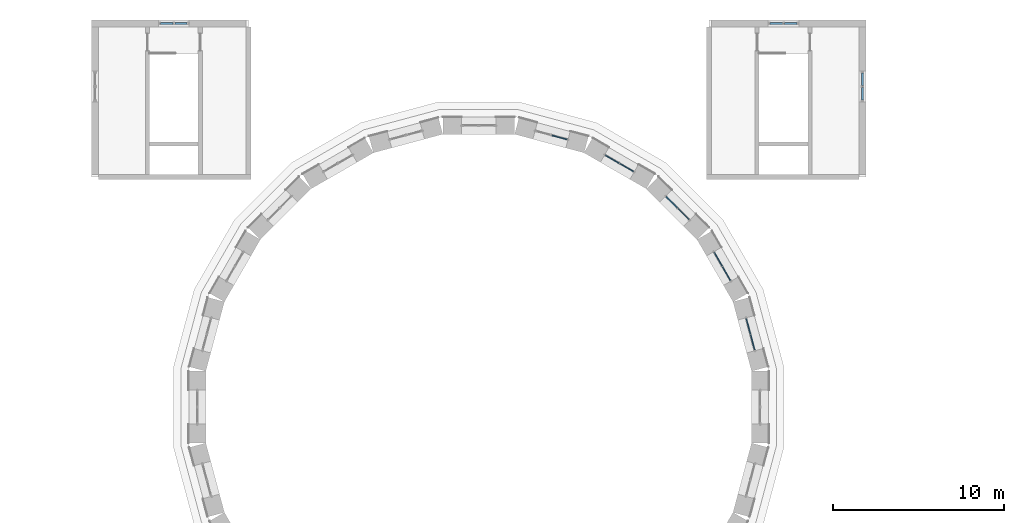
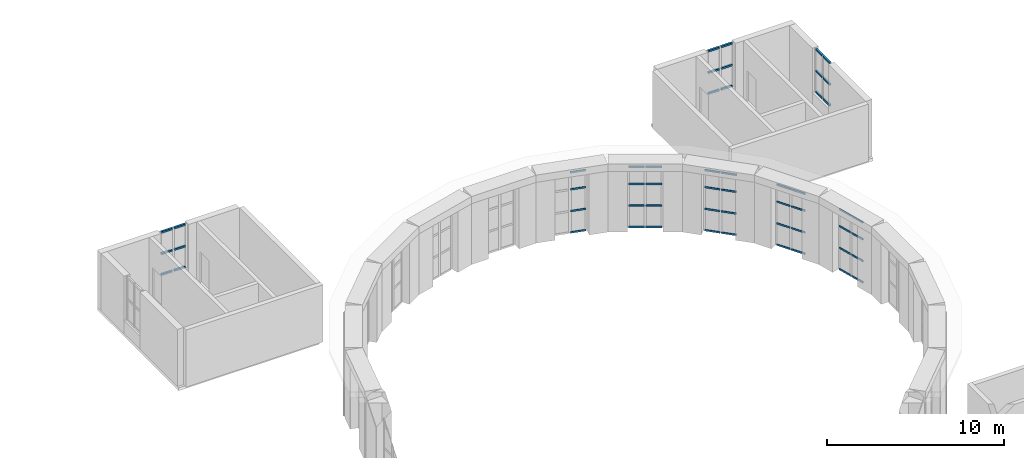
# One storey, part 73 of 121: 54 members, 8 elements without a shape of their own.
"""IFC4 building model written with IfcOpenShell, lengths in metres."""

from ifc_helpers import new_model, si_unit, direction, frame, origin, origin_2d, place, context, subcontext, project, spatial, rectangle, hollow_rectangle, extrude, material, layer, layer_set, material_profile, profile_set, type_object, element, aggregate, save


model = new_model("IFC4")

# Units and contexts
model_context = context("Model", 3, precision=1e-05, world=origin(), true_north=direction((0.0, 1.0)))
body_context = subcontext(model_context, "Body", "Model", "MODEL_VIEW")
ifc_project = project(units=[si_unit("LENGTHUNIT", "METRE"), si_unit("AREAUNIT", "SQUARE_METRE"), si_unit("VOLUMEUNIT", "CUBIC_METRE"), si_unit("PLANEANGLEUNIT", "RADIAN"), si_unit("MASSUNIT", "GRAM", prefix="KILO")], contexts=[model_context])

# Site, building, storey
site_placement = place(None, origin())
site = spatial("IfcSite", under=ifc_project, at=site_placement, CompositionType="ELEMENT")
building_placement = place(site_placement, origin())
building = spatial("IfcBuilding", under=site, at=building_placement, Name="Golden Quay Civic Hall", CompositionType="ELEMENT")
storey_placement = place(building_placement, frame((0.0, 0.0, 18.60009765625)))
storey = spatial("IfcBuildingStorey", under=building, at=storey_placement, Name="L04", CompositionType="ELEMENT", Elevation=18.60009765625)

# Curtain wall, members
ifc_material_1 = material(Name="Glass, laminated double glazed", Category="glass")
ifc_layer = layer(ifc_material_1, 0.199951171875)
ifc_layer_set = layer_set([ifc_layer], Name="Glazed drum clerestory curtain wall")
curtain_wall_type_1 = type_object("IfcCurtainWallType", Name="Glazed drum clerestory curtain wall", PredefinedType="NOTDEFINED", material=ifc_layer_set)
curtain_wall_1_placement = place(storey_placement, origin())
curtain_wall_1 = element("IfcCurtainWall", 1, at=curtain_wall_1_placement, inside=storey, type_object=curtain_wall_type_1, Name="Clerestory curtain wall 1", PredefinedType="NOTDEFINED")
ifc_material_2 = material(Name="Aluminium, anodised", Category="aluminium")
ifc_material_profile_1 = material_profile(ifc_material_2, rectangle(XDim=0.06005859375, YDim=0.1201171875, at=origin_2d()), Name="Aluminium 60 x 120")
ifc_profile_set_1 = profile_set([ifc_material_profile_1], Name="Aluminium, anodised")
member_type_1 = type_object("IfcMemberType", Name="Aluminium transom 60 x 120", PredefinedType="USERDEFINED", material=ifc_profile_set_1)
member_1_placement = place(storey_placement, frame((101.68115234375, 88.862548828125, -0.170166015625), z_axis=(-0.258914897967, 0.965900137494, 0.0), x_axis=(-0.965900137494, -0.258914897967, 0.0)))
member_1 = element("IfcMember", 2, at=member_1_placement, type_object=member_type_1, Name="CW5 transom 1.1", ObjectType="TRANSOM", PredefinedType="USERDEFINED", context=body_context, shape_type="SweptSolid", body=[
    extrude(rectangle(XDim=0.06005859375, YDim=0.1201171875, at=origin_2d()), origin(), (0.0, 0.0, 1.0), 0.909912109375),
])
member_2_placement = place(storey_placement, frame((101.68115234375, 88.862548828125, 1.2998046875), z_axis=(-0.258914897967, 0.965900137494, 0.0), x_axis=(-0.965900137494, -0.258914897967, 0.0)))
member_2 = element("IfcMember", 3, at=member_2_placement, type_object=member_type_1, Name="CW5 transom 1.2", ObjectType="TRANSOM", PredefinedType="USERDEFINED", context=body_context, shape_type="SweptSolid", body=[
    extrude(rectangle(XDim=0.06005859375, YDim=0.1201171875, at=origin_2d()), origin(), (0.0, 0.0, 1.0), 0.909912109375),
])
member_3_placement = place(storey_placement, frame((101.68115234375, 88.862548828125, 2.7998046875), z_axis=(-0.258914897967, 0.965900137494, 0.0), x_axis=(-0.965900137494, -0.258914897967, 0.0)))
member_3 = element("IfcMember", 4, at=member_3_placement, type_object=member_type_1, Name="CW5 transom 1.3", ObjectType="TRANSOM", PredefinedType="USERDEFINED", context=body_context, shape_type="SweptSolid", body=[
    extrude(rectangle(XDim=0.06005859375, YDim=0.1201171875, at=origin_2d()), origin(), (0.0, 0.0, 1.0), 0.909912109375),
])
member_4_placement = place(storey_placement, frame((101.68115234375, 88.862548828125, 3.969970703125), z_axis=(-0.258914897967, 0.965900137494, 0.0), x_axis=(-0.965900137494, -0.258914897967, 0.0)))
member_4 = element("IfcMember", 5, at=member_4_placement, type_object=member_type_1, Name="CW5 transom 1.4", ObjectType="TRANSOM", PredefinedType="USERDEFINED", context=body_context, shape_type="SweptSolid", body=[
    extrude(rectangle(XDim=0.06005859375, YDim=0.1201171875, at=origin_2d()), origin(), (0.0, 0.0, 1.0), 0.909912109375),
])
member_5_placement = place(storey_placement, frame((101.429931640625, 89.799560546875, -0.170166015625), z_axis=(-0.258664552677, 0.965967209168, 0.0), x_axis=(-0.965967209168, -0.258664552677, 0.0)))
member_5 = element("IfcMember", 6, at=member_5_placement, type_object=member_type_1, Name="CW5 transom 2.1", ObjectType="TRANSOM", PredefinedType="USERDEFINED", context=body_context, shape_type="SweptSolid", body=[
    extrude(rectangle(XDim=0.06005859375, YDim=0.1201171875, at=origin_2d()), origin(), (0.0, 0.0, 1.0), 0.909912109375),
])
member_6_placement = place(storey_placement, frame((101.429931640625, 89.799560546875, 1.2998046875), z_axis=(-0.258664552677, 0.965967209168, 0.0), x_axis=(-0.965967209168, -0.258664552677, 0.0)))
member_6 = element("IfcMember", 7, at=member_6_placement, type_object=member_type_1, Name="CW5 transom 2.2", ObjectType="TRANSOM", PredefinedType="USERDEFINED", context=body_context, shape_type="SweptSolid", body=[
    extrude(rectangle(XDim=0.06005859375, YDim=0.1201171875, at=origin_2d()), origin(), (0.0, 0.0, 1.0), 0.909912109375),
])
member_7_placement = place(storey_placement, frame((101.429931640625, 89.799560546875, 2.7998046875), z_axis=(-0.258664552677, 0.965967209168, 0.0), x_axis=(-0.965967209168, -0.258664552677, 0.0)))
member_7 = element("IfcMember", 8, at=member_7_placement, type_object=member_type_1, Name="CW5 transom 2.3", ObjectType="TRANSOM", PredefinedType="USERDEFINED", context=body_context, shape_type="SweptSolid", body=[
    extrude(rectangle(XDim=0.06005859375, YDim=0.1201171875, at=origin_2d()), origin(), (0.0, 0.0, 1.0), 0.909912109375),
])
member_8_placement = place(storey_placement, frame((101.429931640625, 89.799560546875, 3.969970703125), z_axis=(-0.258664552677, 0.965967209168, 0.0), x_axis=(-0.965967209168, -0.258664552677, 0.0)))
member_8 = element("IfcMember", 9, at=member_8_placement, type_object=member_type_1, Name="CW5 transom 2.4", ObjectType="TRANSOM", PredefinedType="USERDEFINED", context=body_context, shape_type="SweptSolid", body=[
    extrude(rectangle(XDim=0.06005859375, YDim=0.1201171875, at=origin_2d()), origin(), (0.0, 0.0, 1.0), 0.909912109375),
])
aggregate(curtain_wall_1, [member_1, member_2, member_3, member_4, member_5, member_6, member_7, member_8])

curtain_wall_2_placement = place(storey_placement, origin())
curtain_wall_2 = element("IfcCurtainWall", 10, at=curtain_wall_2_placement, inside=storey, type_object=curtain_wall_type_1, Name="Clerestory curtain wall 2", PredefinedType="NOTDEFINED")
member_9_placement = place(storey_placement, frame((100.25927734375, 92.93603515625, -0.170166015625), z_axis=(-0.499861813449, 0.866105171129, 0.0), x_axis=(-0.866105171129, -0.499861813449, 0.0)))
member_9 = element("IfcMember", 11, at=member_9_placement, type_object=member_type_1, Name="CW5 transom 1.1", ObjectType="TRANSOM", PredefinedType="USERDEFINED", context=body_context, shape_type="SweptSolid", body=[
    extrude(rectangle(XDim=0.06005859375, YDim=0.1201171875, at=origin_2d()), origin(), (0.0, 0.0, 1.0), 0.909912109375),
])
member_10_placement = place(storey_placement, frame((100.25927734375, 92.93603515625, 1.2998046875), z_axis=(-0.499861813449, 0.866105171129, 0.0), x_axis=(-0.866105171129, -0.499861813449, 0.0)))
member_10 = element("IfcMember", 12, at=member_10_placement, type_object=member_type_1, Name="CW5 transom 1.2", ObjectType="TRANSOM", PredefinedType="USERDEFINED", context=body_context, shape_type="SweptSolid", body=[
    extrude(rectangle(XDim=0.06005859375, YDim=0.1201171875, at=origin_2d()), origin(), (0.0, 0.0, 1.0), 0.909912109375),
])
member_11_placement = place(storey_placement, frame((100.25927734375, 92.93603515625, 2.7998046875), z_axis=(-0.499861813449, 0.866105171129, 0.0), x_axis=(-0.866105171129, -0.499861813449, 0.0)))
member_11 = element("IfcMember", 13, at=member_11_placement, type_object=member_type_1, Name="CW5 transom 1.3", ObjectType="TRANSOM", PredefinedType="USERDEFINED", context=body_context, shape_type="SweptSolid", body=[
    extrude(rectangle(XDim=0.06005859375, YDim=0.1201171875, at=origin_2d()), origin(), (0.0, 0.0, 1.0), 0.909912109375),
])
member_12_placement = place(storey_placement, frame((100.25927734375, 92.93603515625, 3.969970703125), z_axis=(-0.499861813449, 0.866105171129, 0.0), x_axis=(-0.866105171129, -0.499861813449, 0.0)))
member_12 = element("IfcMember", 14, at=member_12_placement, type_object=member_type_1, Name="CW5 transom 1.4", ObjectType="TRANSOM", PredefinedType="USERDEFINED", context=body_context, shape_type="SweptSolid", body=[
    extrude(rectangle(XDim=0.06005859375, YDim=0.1201171875, at=origin_2d()), origin(), (0.0, 0.0, 1.0), 0.909912109375),
])
member_13_placement = place(storey_placement, frame((99.7744140625, 93.77587890625, -0.170166015625), z_axis=(-0.500063042646, 0.865989003036, 0.0), x_axis=(-0.865989003036, -0.500063042646, 0.0)))
member_13 = element("IfcMember", 15, at=member_13_placement, type_object=member_type_1, Name="CW5 transom 2.1", ObjectType="TRANSOM", PredefinedType="USERDEFINED", context=body_context, shape_type="SweptSolid", body=[
    extrude(rectangle(XDim=0.06005859375, YDim=0.1201171875, at=origin_2d()), origin(), (0.0, 0.0, 1.0), 0.91015625),
])
member_14_placement = place(storey_placement, frame((99.7744140625, 93.77587890625, 1.2998046875), z_axis=(-0.500063042646, 0.865989003036, 0.0), x_axis=(-0.865989003036, -0.500063042646, 0.0)))
member_14 = element("IfcMember", 16, at=member_14_placement, type_object=member_type_1, Name="CW5 transom 2.2", ObjectType="TRANSOM", PredefinedType="USERDEFINED", context=body_context, shape_type="SweptSolid", body=[
    extrude(rectangle(XDim=0.06005859375, YDim=0.1201171875, at=origin_2d()), origin(), (0.0, 0.0, 1.0), 0.91015625),
])
member_15_placement = place(storey_placement, frame((99.7744140625, 93.77587890625, 2.7998046875), z_axis=(-0.500063042646, 0.865989003036, 0.0), x_axis=(-0.865989003036, -0.500063042646, 0.0)))
member_15 = element("IfcMember", 17, at=member_15_placement, type_object=member_type_1, Name="CW5 transom 2.3", ObjectType="TRANSOM", PredefinedType="USERDEFINED", context=body_context, shape_type="SweptSolid", body=[
    extrude(rectangle(XDim=0.06005859375, YDim=0.1201171875, at=origin_2d()), origin(), (0.0, 0.0, 1.0), 0.91015625),
])
member_16_placement = place(storey_placement, frame((99.7744140625, 93.77587890625, 3.969970703125), z_axis=(-0.500063042646, 0.865989003036, 0.0), x_axis=(-0.865989003036, -0.500063042646, 0.0)))
member_16 = element("IfcMember", 18, at=member_16_placement, type_object=member_type_1, Name="CW5 transom 2.4", ObjectType="TRANSOM", PredefinedType="USERDEFINED", context=body_context, shape_type="SweptSolid", body=[
    extrude(rectangle(XDim=0.06005859375, YDim=0.1201171875, at=origin_2d()), origin(), (0.0, 0.0, 1.0), 0.91015625),
])
aggregate(curtain_wall_2, [member_9, member_10, member_11, member_12, member_13, member_14, member_15, member_16])

curtain_wall_3_placement = place(storey_placement, origin())
curtain_wall_3 = element("IfcCurtainWall", 19, at=curtain_wall_3_placement, inside=storey, type_object=curtain_wall_type_1, Name="Clerestory curtain wall 3", PredefinedType="NOTDEFINED")
member_17_placement = place(storey_placement, frame((97.83203125, 96.502685546875, -0.170166015625), z_axis=(-0.707240918863, 0.706972618059, 0.0), x_axis=(-0.706972618059, -0.707240918863, 0.0)))
member_17 = element("IfcMember", 20, at=member_17_placement, type_object=member_type_1, Name="CW5 transom 1.1", ObjectType="TRANSOM", PredefinedType="USERDEFINED", context=body_context, shape_type="SweptSolid", body=[
    extrude(rectangle(XDim=0.06005859375, YDim=0.1201171875, at=origin_2d()), origin(), (0.0, 0.0, 1.0), 0.909912109375),
])
member_18_placement = place(storey_placement, frame((97.83203125, 96.502685546875, 1.2998046875), z_axis=(-0.707240918863, 0.706972618059, 0.0), x_axis=(-0.706972618059, -0.707240918863, 0.0)))
member_18 = element("IfcMember", 21, at=member_18_placement, type_object=member_type_1, Name="CW5 transom 1.2", ObjectType="TRANSOM", PredefinedType="USERDEFINED", context=body_context, shape_type="SweptSolid", body=[
    extrude(rectangle(XDim=0.06005859375, YDim=0.1201171875, at=origin_2d()), origin(), (0.0, 0.0, 1.0), 0.909912109375),
])
member_19_placement = place(storey_placement, frame((97.83203125, 96.502685546875, 2.7998046875), z_axis=(-0.707240918863, 0.706972618059, 0.0), x_axis=(-0.706972618059, -0.707240918863, 0.0)))
member_19 = element("IfcMember", 22, at=member_19_placement, type_object=member_type_1, Name="CW5 transom 1.3", ObjectType="TRANSOM", PredefinedType="USERDEFINED", context=body_context, shape_type="SweptSolid", body=[
    extrude(rectangle(XDim=0.06005859375, YDim=0.1201171875, at=origin_2d()), origin(), (0.0, 0.0, 1.0), 0.909912109375),
])
member_20_placement = place(storey_placement, frame((97.83203125, 96.502685546875, 3.969970703125), z_axis=(-0.707240918863, 0.706972618059, 0.0), x_axis=(-0.706972618059, -0.707240918863, 0.0)))
member_20 = element("IfcMember", 23, at=member_20_placement, type_object=member_type_1, Name="CW5 transom 1.4", ObjectType="TRANSOM", PredefinedType="USERDEFINED", context=body_context, shape_type="SweptSolid", body=[
    extrude(rectangle(XDim=0.06005859375, YDim=0.1201171875, at=origin_2d()), origin(), (0.0, 0.0, 1.0), 0.909912109375),
])
member_21_placement = place(storey_placement, frame((97.14599609375, 97.1884765625, -0.170166015625), z_axis=(-0.706972618059, 0.707240918863, 0.0), x_axis=(-0.707240918863, -0.706972618059, 0.0)))
member_21 = element("IfcMember", 24, at=member_21_placement, type_object=member_type_1, Name="CW5 transom 2.1", ObjectType="TRANSOM", PredefinedType="USERDEFINED", context=body_context, shape_type="SweptSolid", body=[
    extrude(rectangle(XDim=0.06005859375, YDim=0.1201171875, at=origin_2d()), origin(), (0.0, 0.0, 1.0), 0.909912109375),
])
member_22_placement = place(storey_placement, frame((97.14599609375, 97.1884765625, 1.2998046875), z_axis=(-0.706972618059, 0.707240918863, 0.0), x_axis=(-0.707240918863, -0.706972618059, 0.0)))
member_22 = element("IfcMember", 25, at=member_22_placement, type_object=member_type_1, Name="CW5 transom 2.2", ObjectType="TRANSOM", PredefinedType="USERDEFINED", context=body_context, shape_type="SweptSolid", body=[
    extrude(rectangle(XDim=0.06005859375, YDim=0.1201171875, at=origin_2d()), origin(), (0.0, 0.0, 1.0), 0.909912109375),
])
member_23_placement = place(storey_placement, frame((97.14599609375, 97.1884765625, 2.7998046875), z_axis=(-0.706972618059, 0.707240918863, 0.0), x_axis=(-0.707240918863, -0.706972618059, 0.0)))
member_23 = element("IfcMember", 26, at=member_23_placement, type_object=member_type_1, Name="CW5 transom 2.3", ObjectType="TRANSOM", PredefinedType="USERDEFINED", context=body_context, shape_type="SweptSolid", body=[
    extrude(rectangle(XDim=0.06005859375, YDim=0.1201171875, at=origin_2d()), origin(), (0.0, 0.0, 1.0), 0.909912109375),
])
member_24_placement = place(storey_placement, frame((97.14599609375, 97.1884765625, 3.969970703125), z_axis=(-0.706972618059, 0.707240918863, 0.0), x_axis=(-0.707240918863, -0.706972618059, 0.0)))
member_24 = element("IfcMember", 27, at=member_24_placement, type_object=member_type_1, Name="CW5 transom 2.4", ObjectType="TRANSOM", PredefinedType="USERDEFINED", context=body_context, shape_type="SweptSolid", body=[
    extrude(rectangle(XDim=0.06005859375, YDim=0.1201171875, at=origin_2d()), origin(), (0.0, 0.0, 1.0), 0.909912109375),
])
aggregate(curtain_wall_3, [member_17, member_18, member_19, member_20, member_21, member_22, member_23, member_24])

curtain_wall_4_placement = place(storey_placement, origin())
curtain_wall_4 = element("IfcCurtainWall", 28, at=curtain_wall_4_placement, inside=storey, type_object=curtain_wall_type_1, Name="Clerestory curtain wall 4", PredefinedType="NOTDEFINED")
member_25_placement = place(storey_placement, frame((94.56396484375, 99.3193359375, -0.170166015625), z_axis=(-0.865989003036, 0.500063042646, 0.0), x_axis=(-0.500063042646, -0.865989003036, 0.0)))
member_25 = element("IfcMember", 29, at=member_25_placement, type_object=member_type_1, Name="CW5 transom 1.1", ObjectType="TRANSOM", PredefinedType="USERDEFINED", context=body_context, shape_type="SweptSolid", body=[
    extrude(rectangle(XDim=0.06005859375, YDim=0.1201171875, at=origin_2d()), origin(), (0.0, 0.0, 1.0), 0.91015625),
])
member_26_placement = place(storey_placement, frame((94.56396484375, 99.3193359375, 1.2998046875), z_axis=(-0.865989003036, 0.500063042646, 0.0), x_axis=(-0.500063042646, -0.865989003036, 0.0)))
member_26 = element("IfcMember", 30, at=member_26_placement, type_object=member_type_1, Name="CW5 transom 1.2", ObjectType="TRANSOM", PredefinedType="USERDEFINED", context=body_context, shape_type="SweptSolid", body=[
    extrude(rectangle(XDim=0.06005859375, YDim=0.1201171875, at=origin_2d()), origin(), (0.0, 0.0, 1.0), 0.91015625),
])
member_27_placement = place(storey_placement, frame((94.56396484375, 99.3193359375, 2.7998046875), z_axis=(-0.865989003036, 0.500063042646, 0.0), x_axis=(-0.500063042646, -0.865989003036, 0.0)))
member_27 = element("IfcMember", 31, at=member_27_placement, type_object=member_type_1, Name="CW5 transom 1.3", ObjectType="TRANSOM", PredefinedType="USERDEFINED", context=body_context, shape_type="SweptSolid", body=[
    extrude(rectangle(XDim=0.06005859375, YDim=0.1201171875, at=origin_2d()), origin(), (0.0, 0.0, 1.0), 0.91015625),
])
member_28_placement = place(storey_placement, frame((94.56396484375, 99.3193359375, 3.969970703125), z_axis=(-0.865989003036, 0.500063042646, 0.0), x_axis=(-0.500063042646, -0.865989003036, 0.0)))
member_28 = element("IfcMember", 32, at=member_28_placement, type_object=member_type_1, Name="CW5 transom 1.4", ObjectType="TRANSOM", PredefinedType="USERDEFINED", context=body_context, shape_type="SweptSolid", body=[
    extrude(rectangle(XDim=0.06005859375, YDim=0.1201171875, at=origin_2d()), origin(), (0.0, 0.0, 1.0), 0.91015625),
])
member_29_placement = place(storey_placement, frame((93.72412109375, 99.804443359375, -0.170166015625), z_axis=(-0.866105171129, 0.499861813449, 0.0), x_axis=(-0.499861813449, -0.866105171129, 0.0)))
member_29 = element("IfcMember", 33, at=member_29_placement, type_object=member_type_1, Name="CW5 transom 2.1", ObjectType="TRANSOM", PredefinedType="USERDEFINED", context=body_context, shape_type="SweptSolid", body=[
    extrude(rectangle(XDim=0.06005859375, YDim=0.1201171875, at=origin_2d()), origin(), (0.0, 0.0, 1.0), 0.909912109375),
])
member_30_placement = place(storey_placement, frame((93.72412109375, 99.804443359375, 1.2998046875), z_axis=(-0.866105171129, 0.499861813449, 0.0), x_axis=(-0.499861813449, -0.866105171129, 0.0)))
member_30 = element("IfcMember", 34, at=member_30_placement, type_object=member_type_1, Name="CW5 transom 2.2", ObjectType="TRANSOM", PredefinedType="USERDEFINED", context=body_context, shape_type="SweptSolid", body=[
    extrude(rectangle(XDim=0.06005859375, YDim=0.1201171875, at=origin_2d()), origin(), (0.0, 0.0, 1.0), 0.909912109375),
])
member_31_placement = place(storey_placement, frame((93.72412109375, 99.804443359375, 2.7998046875), z_axis=(-0.866105171129, 0.499861813449, 0.0), x_axis=(-0.499861813449, -0.866105171129, 0.0)))
member_31 = element("IfcMember", 35, at=member_31_placement, type_object=member_type_1, Name="CW5 transom 2.3", ObjectType="TRANSOM", PredefinedType="USERDEFINED", context=body_context, shape_type="SweptSolid", body=[
    extrude(rectangle(XDim=0.06005859375, YDim=0.1201171875, at=origin_2d()), origin(), (0.0, 0.0, 1.0), 0.909912109375),
])
member_32_placement = place(storey_placement, frame((93.72412109375, 99.804443359375, 3.969970703125), z_axis=(-0.866105171129, 0.499861813449, 0.0), x_axis=(-0.499861813449, -0.866105171129, 0.0)))
member_32 = element("IfcMember", 36, at=member_32_placement, type_object=member_type_1, Name="CW5 transom 2.4", ObjectType="TRANSOM", PredefinedType="USERDEFINED", context=body_context, shape_type="SweptSolid", body=[
    extrude(rectangle(XDim=0.06005859375, YDim=0.1201171875, at=origin_2d()), origin(), (0.0, 0.0, 1.0), 0.909912109375),
])
aggregate(curtain_wall_4, [member_25, member_26, member_27, member_28, member_29, member_30, member_31, member_32])

curtain_wall_5_placement = place(storey_placement, origin())
curtain_wall_5 = element("IfcCurtainWall", 37, at=curtain_wall_5_placement, inside=storey, type_object=curtain_wall_type_1, Name="Clerestory curtain wall 5", PredefinedType="NOTDEFINED")
member_33_placement = place(storey_placement, frame((90.678466796875, 101.194580078125, -0.170166015625), z_axis=(-0.965967209168, 0.258664552677, 0.0), x_axis=(-0.258664552677, -0.965967209168, 0.0)))
member_33 = element("IfcMember", 38, at=member_33_placement, type_object=member_type_1, Name="CW5 transom 1.1", ObjectType="TRANSOM", PredefinedType="USERDEFINED", context=body_context, shape_type="SweptSolid", body=[
    extrude(rectangle(XDim=0.06005859375, YDim=0.1201171875, at=origin_2d()), origin(), (0.0, 0.0, 1.0), 0.909912109375),
])
member_34_placement = place(storey_placement, frame((90.678466796875, 101.194580078125, 1.2998046875), z_axis=(-0.965967209168, 0.258664552677, 0.0), x_axis=(-0.258664552677, -0.965967209168, 0.0)))
member_34 = element("IfcMember", 39, at=member_34_placement, type_object=member_type_1, Name="CW5 transom 1.2", ObjectType="TRANSOM", PredefinedType="USERDEFINED", context=body_context, shape_type="SweptSolid", body=[
    extrude(rectangle(XDim=0.06005859375, YDim=0.1201171875, at=origin_2d()), origin(), (0.0, 0.0, 1.0), 0.909912109375),
])
member_35_placement = place(storey_placement, frame((90.678466796875, 101.194580078125, 2.7998046875), z_axis=(-0.965967209168, 0.258664552677, 0.0), x_axis=(-0.258664552677, -0.965967209168, 0.0)))
member_35 = element("IfcMember", 40, at=member_35_placement, type_object=member_type_1, Name="CW5 transom 1.3", ObjectType="TRANSOM", PredefinedType="USERDEFINED", context=body_context, shape_type="SweptSolid", body=[
    extrude(rectangle(XDim=0.06005859375, YDim=0.1201171875, at=origin_2d()), origin(), (0.0, 0.0, 1.0), 0.909912109375),
])
member_36_placement = place(storey_placement, frame((90.678466796875, 101.194580078125, 3.969970703125), z_axis=(-0.965967209168, 0.258664552677, 0.0), x_axis=(-0.258664552677, -0.965967209168, 0.0)))
member_36 = element("IfcMember", 41, at=member_36_placement, type_object=member_type_1, Name="CW5 transom 1.4", ObjectType="TRANSOM", PredefinedType="USERDEFINED", context=body_context, shape_type="SweptSolid", body=[
    extrude(rectangle(XDim=0.06005859375, YDim=0.1201171875, at=origin_2d()), origin(), (0.0, 0.0, 1.0), 0.909912109375),
])
aggregate(curtain_wall_5, [member_33, member_34, member_35, member_36])

ifc_material_3 = material(Name="Fire-resisting glass and steel", Category="steel")
curtain_wall_type_2 = type_object("IfcCurtainWallType", Name="Fire-resisting glazed stair curtain wall EI 120", PredefinedType="NOTDEFINED", material=ifc_material_3)
curtain_wall_6_placement = place(storey_placement, origin())
curtain_wall_6 = element("IfcCurtainWall", 42, at=curtain_wall_6_placement, inside=storey, type_object=curtain_wall_type_2, Name="CW4 stair curtain wall", PredefinedType="NOTDEFINED")
ifc_material_4 = material(Name="Steel S355", Category="steel")
ifc_material_profile_2 = material_profile(ifc_material_4, hollow_rectangle(XDim=0.1201171875, YDim=0.1201171875, WallThickness=0.012451171875, at=origin_2d()), Name="SHS 120x120x12.5")
ifc_profile_set_2 = profile_set([ifc_material_profile_2], Name="Steel S355")
member_type_2 = type_object("IfcMemberType", Name="Fire-resisting steel stair transom 120 x 120", PredefinedType="USERDEFINED", material=ifc_profile_set_2)
member_37_placement = place(storey_placement, frame((66.844970703125, 108.0, 0.9599609375), z_axis=(1.0, 0.0, 0.0), x_axis=(0.0, 1.0, 0.0)))
member_37 = element("IfcMember", 43, at=member_37_placement, type_object=member_type_2, Name="CW4 transom 1.1", ObjectType="TRANSOM", PredefinedType="USERDEFINED", context=body_context, shape_type="SweptSolid", body=[
    extrude(hollow_rectangle(XDim=0.1201171875, YDim=0.1201171875, WallThickness=0.012451171875, at=origin_2d()), origin(), (0.0, 0.0, 1.0), 0.719970703125),
])
member_38_placement = place(storey_placement, frame((66.844970703125, 108.0, 2.39990234375), z_axis=(1.0, 0.0, 0.0), x_axis=(0.0, 1.0, 0.0)))
member_38 = element("IfcMember", 44, at=member_38_placement, type_object=member_type_2, Name="CW4 transom 1.2", ObjectType="TRANSOM", PredefinedType="USERDEFINED", context=body_context, shape_type="SweptSolid", body=[
    extrude(hollow_rectangle(XDim=0.1201171875, YDim=0.1201171875, WallThickness=0.012451171875, at=origin_2d()), origin(), (0.0, 0.0, 1.0), 0.719970703125),
])
member_39_placement = place(storey_placement, frame((66.844970703125, 108.0, 3.889892578125), z_axis=(1.0, 0.0, 0.0), x_axis=(0.0, 1.0, 0.0)))
member_39 = element("IfcMember", 45, at=member_39_placement, type_object=member_type_2, Name="CW4 transom 1.3", ObjectType="TRANSOM", PredefinedType="USERDEFINED", context=body_context, shape_type="SweptSolid", body=[
    extrude(hollow_rectangle(XDim=0.1201171875, YDim=0.1201171875, WallThickness=0.012451171875, at=origin_2d()), origin(), (0.0, 0.0, 1.0), 0.719970703125),
])
member_40_placement = place(storey_placement, frame((67.68505859375, 108.0, 0.9599609375), z_axis=(1.0, 0.0, 0.0), x_axis=(0.0, 1.0, 0.0)))
member_40 = element("IfcMember", 46, at=member_40_placement, type_object=member_type_2, Name="CW4 transom 2.1", ObjectType="TRANSOM", PredefinedType="USERDEFINED", context=body_context, shape_type="SweptSolid", body=[
    extrude(hollow_rectangle(XDim=0.1201171875, YDim=0.1201171875, WallThickness=0.012451171875, at=origin_2d()), origin(), (0.0, 0.0, 1.0), 0.719970703125),
])
member_41_placement = place(storey_placement, frame((67.68505859375, 108.0, 2.39990234375), z_axis=(1.0, 0.0, 0.0), x_axis=(0.0, 1.0, 0.0)))
member_41 = element("IfcMember", 47, at=member_41_placement, type_object=member_type_2, Name="CW4 transom 2.2", ObjectType="TRANSOM", PredefinedType="USERDEFINED", context=body_context, shape_type="SweptSolid", body=[
    extrude(hollow_rectangle(XDim=0.1201171875, YDim=0.1201171875, WallThickness=0.012451171875, at=origin_2d()), origin(), (0.0, 0.0, 1.0), 0.719970703125),
])
member_42_placement = place(storey_placement, frame((67.68505859375, 108.0, 3.889892578125), z_axis=(1.0, 0.0, 0.0), x_axis=(0.0, 1.0, 0.0)))
member_42 = element("IfcMember", 48, at=member_42_placement, type_object=member_type_2, Name="CW4 transom 2.3", ObjectType="TRANSOM", PredefinedType="USERDEFINED", context=body_context, shape_type="SweptSolid", body=[
    extrude(hollow_rectangle(XDim=0.1201171875, YDim=0.1201171875, WallThickness=0.012451171875, at=origin_2d()), origin(), (0.0, 0.0, 1.0), 0.719970703125),
])
aggregate(curtain_wall_6, [member_37, member_38, member_39, member_40, member_41, member_42])

curtain_wall_7_placement = place(storey_placement, origin())
curtain_wall_7 = element("IfcCurtainWall", 49, at=curtain_wall_7_placement, inside=storey, type_object=curtain_wall_type_2, Name="CW4 stair curtain wall", PredefinedType="NOTDEFINED")
member_43_placement = place(storey_placement, frame((102.594970703125, 108.0, 0.9599609375), z_axis=(1.0, 0.0, 0.0), x_axis=(0.0, 1.0, 0.0)))
member_43 = element("IfcMember", 50, at=member_43_placement, type_object=member_type_2, Name="CW4 transom 1.1", ObjectType="TRANSOM", PredefinedType="USERDEFINED", context=body_context, shape_type="SweptSolid", body=[
    extrude(hollow_rectangle(XDim=0.1201171875, YDim=0.1201171875, WallThickness=0.012451171875, at=origin_2d()), origin(), (0.0, 0.0, 1.0), 0.719970703125),
])
member_44_placement = place(storey_placement, frame((102.594970703125, 108.0, 2.39990234375), z_axis=(1.0, 0.0, 0.0), x_axis=(0.0, 1.0, 0.0)))
member_44 = element("IfcMember", 51, at=member_44_placement, type_object=member_type_2, Name="CW4 transom 1.2", ObjectType="TRANSOM", PredefinedType="USERDEFINED", context=body_context, shape_type="SweptSolid", body=[
    extrude(hollow_rectangle(XDim=0.1201171875, YDim=0.1201171875, WallThickness=0.012451171875, at=origin_2d()), origin(), (0.0, 0.0, 1.0), 0.719970703125),
])
member_45_placement = place(storey_placement, frame((102.594970703125, 108.0, 3.889892578125), z_axis=(1.0, 0.0, 0.0), x_axis=(0.0, 1.0, 0.0)))
member_45 = element("IfcMember", 52, at=member_45_placement, type_object=member_type_2, Name="CW4 transom 1.3", ObjectType="TRANSOM", PredefinedType="USERDEFINED", context=body_context, shape_type="SweptSolid", body=[
    extrude(hollow_rectangle(XDim=0.1201171875, YDim=0.1201171875, WallThickness=0.012451171875, at=origin_2d()), origin(), (0.0, 0.0, 1.0), 0.719970703125),
])
member_46_placement = place(storey_placement, frame((103.43505859375, 108.0, 0.9599609375), z_axis=(1.0, 0.0, 0.0), x_axis=(0.0, 1.0, 0.0)))
member_46 = element("IfcMember", 53, at=member_46_placement, type_object=member_type_2, Name="CW4 transom 2.1", ObjectType="TRANSOM", PredefinedType="USERDEFINED", context=body_context, shape_type="SweptSolid", body=[
    extrude(hollow_rectangle(XDim=0.1201171875, YDim=0.1201171875, WallThickness=0.012451171875, at=origin_2d()), origin(), (0.0, 0.0, 1.0), 0.719970703125),
])
member_47_placement = place(storey_placement, frame((103.43505859375, 108.0, 2.39990234375), z_axis=(1.0, 0.0, 0.0), x_axis=(0.0, 1.0, 0.0)))
member_47 = element("IfcMember", 54, at=member_47_placement, type_object=member_type_2, Name="CW4 transom 2.2", ObjectType="TRANSOM", PredefinedType="USERDEFINED", context=body_context, shape_type="SweptSolid", body=[
    extrude(hollow_rectangle(XDim=0.1201171875, YDim=0.1201171875, WallThickness=0.012451171875, at=origin_2d()), origin(), (0.0, 0.0, 1.0), 0.719970703125),
])
member_48_placement = place(storey_placement, frame((103.43505859375, 108.0, 3.889892578125), z_axis=(1.0, 0.0, 0.0), x_axis=(0.0, 1.0, 0.0)))
member_48 = element("IfcMember", 55, at=member_48_placement, type_object=member_type_2, Name="CW4 transom 2.3", ObjectType="TRANSOM", PredefinedType="USERDEFINED", context=body_context, shape_type="SweptSolid", body=[
    extrude(hollow_rectangle(XDim=0.1201171875, YDim=0.1201171875, WallThickness=0.012451171875, at=origin_2d()), origin(), (0.0, 0.0, 1.0), 0.719970703125),
])
aggregate(curtain_wall_7, [member_43, member_44, member_45, member_46, member_47, member_48])

curtain_wall_8_placement = place(storey_placement, origin())
curtain_wall_8 = element("IfcCurtainWall", 56, at=curtain_wall_8_placement, inside=storey, type_object=curtain_wall_type_2, Name="CW4 stair curtain wall", PredefinedType="NOTDEFINED")
member_49_placement = place(storey_placement, frame((108.0, 103.52001953125, 0.9599609375), z_axis=(0.0, 1.0, 0.0), x_axis=(-1.0, 0.0, 0.0)))
member_49 = element("IfcMember", 57, at=member_49_placement, type_object=member_type_2, Name="CW4 transom 1.1", ObjectType="TRANSOM", PredefinedType="USERDEFINED", context=body_context, shape_type="SweptSolid", body=[
    extrude(hollow_rectangle(XDim=0.1201171875, YDim=0.1201171875, WallThickness=0.012451171875, at=origin_2d()), origin(), (0.0, 0.0, 1.0), 0.719970703125),
])
member_50_placement = place(storey_placement, frame((108.0, 103.52001953125, 2.39990234375), z_axis=(0.0, 1.0, 0.0), x_axis=(-1.0, 0.0, 0.0)))
member_50 = element("IfcMember", 58, at=member_50_placement, type_object=member_type_2, Name="CW4 transom 1.2", ObjectType="TRANSOM", PredefinedType="USERDEFINED", context=body_context, shape_type="SweptSolid", body=[
    extrude(hollow_rectangle(XDim=0.1201171875, YDim=0.1201171875, WallThickness=0.012451171875, at=origin_2d()), origin(), (0.0, 0.0, 1.0), 0.719970703125),
])
member_51_placement = place(storey_placement, frame((108.0, 103.52001953125, 3.889892578125), z_axis=(0.0, 1.0, 0.0), x_axis=(-1.0, 0.0, 0.0)))
member_51 = element("IfcMember", 59, at=member_51_placement, type_object=member_type_2, Name="CW4 transom 1.3", ObjectType="TRANSOM", PredefinedType="USERDEFINED", context=body_context, shape_type="SweptSolid", body=[
    extrude(hollow_rectangle(XDim=0.1201171875, YDim=0.1201171875, WallThickness=0.012451171875, at=origin_2d()), origin(), (0.0, 0.0, 1.0), 0.719970703125),
])
member_52_placement = place(storey_placement, frame((108.0, 104.360107421875, 0.9599609375), z_axis=(0.0, 1.0, 0.0), x_axis=(-1.0, 0.0, 0.0)))
member_52 = element("IfcMember", 60, at=member_52_placement, type_object=member_type_2, Name="CW4 transom 2.1", ObjectType="TRANSOM", PredefinedType="USERDEFINED", context=body_context, shape_type="SweptSolid", body=[
    extrude(hollow_rectangle(XDim=0.1201171875, YDim=0.1201171875, WallThickness=0.012451171875, at=origin_2d()), origin(), (0.0, 0.0, 1.0), 0.719970703125),
])
member_53_placement = place(storey_placement, frame((108.0, 104.360107421875, 2.39990234375), z_axis=(0.0, 1.0, 0.0), x_axis=(-1.0, 0.0, 0.0)))
member_53 = element("IfcMember", 61, at=member_53_placement, type_object=member_type_2, Name="CW4 transom 2.2", ObjectType="TRANSOM", PredefinedType="USERDEFINED", context=body_context, shape_type="SweptSolid", body=[
    extrude(hollow_rectangle(XDim=0.1201171875, YDim=0.1201171875, WallThickness=0.012451171875, at=origin_2d()), origin(), (0.0, 0.0, 1.0), 0.719970703125),
])
member_54_placement = place(storey_placement, frame((108.0, 104.360107421875, 3.889892578125), z_axis=(0.0, 1.0, 0.0), x_axis=(-1.0, 0.0, 0.0)))
member_54 = element("IfcMember", 62, at=member_54_placement, type_object=member_type_2, Name="CW4 transom 2.3", ObjectType="TRANSOM", PredefinedType="USERDEFINED", context=body_context, shape_type="SweptSolid", body=[
    extrude(hollow_rectangle(XDim=0.1201171875, YDim=0.1201171875, WallThickness=0.012451171875, at=origin_2d()), origin(), (0.0, 0.0, 1.0), 0.719970703125),
])
aggregate(curtain_wall_8, [member_49, member_50, member_51, member_52, member_53, member_54])

save(model, "model.ifc")
